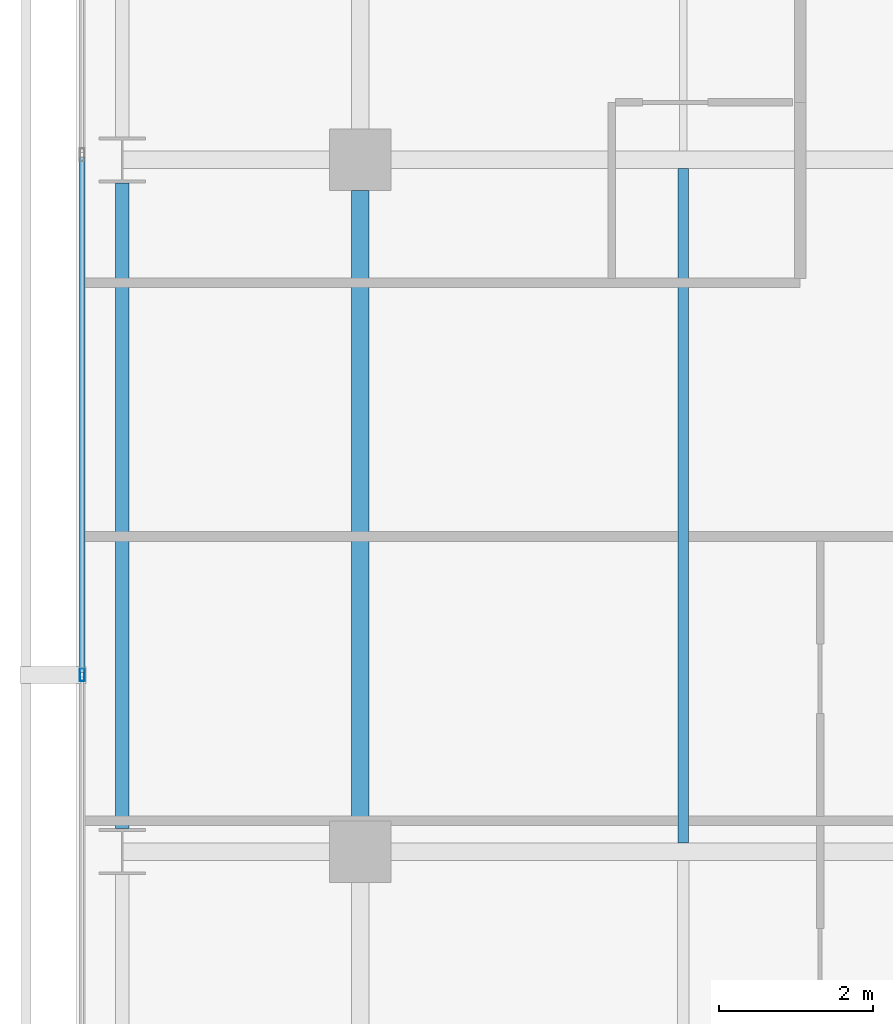
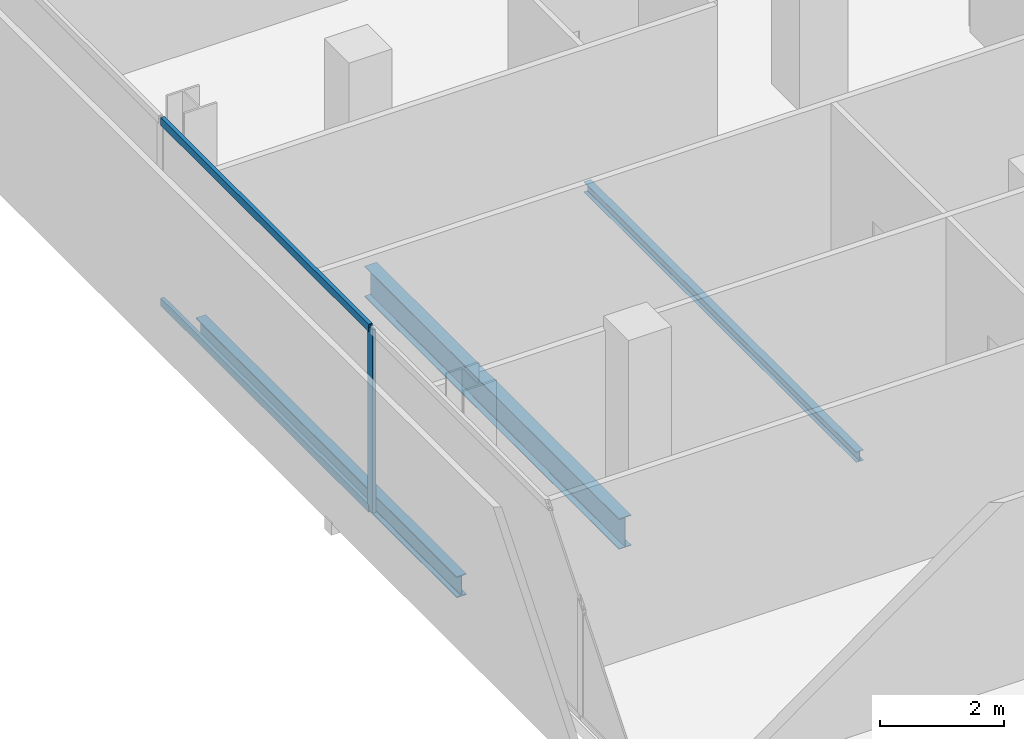
# One storey, part 10 of 34: 3 beams, 3 members, 1 element without a shape of its own.
"""IFC4 building model written with IfcOpenShell, lengths in metres."""

from ifc_helpers import new_model, si_unit, direction, frame, origin, origin_2d, place, context, subcontext, project, spatial, hollow_rectangle, i_section, extrude, material, layer, layer_set, material_profile, profile_set, type_object, element, aggregate, save


model = new_model("IFC4")

# Units and contexts
model_context = context("Model", 3, precision=1e-05, world=origin(), true_north=direction((0.0, 1.0)))
body_context = subcontext(model_context, "Body", "Model", "MODEL_VIEW")
ifc_project = project(units=[si_unit("LENGTHUNIT", "METRE"), si_unit("AREAUNIT", "SQUARE_METRE"), si_unit("VOLUMEUNIT", "CUBIC_METRE"), si_unit("PLANEANGLEUNIT", "RADIAN"), si_unit("MASSUNIT", "GRAM", prefix="KILO")], contexts=[model_context])

# Site, building, storey
site_placement = place(None, origin())
site = spatial("IfcSite", under=ifc_project, at=site_placement, CompositionType="ELEMENT")
building_placement = place(site_placement, origin())
building = spatial("IfcBuilding", under=site, at=building_placement, Name="Maruvema Waterfront Hotel and Observation Tower", CompositionType="ELEMENT")
storey_placement = place(building_placement, frame((0.0, 0.0, 185.14990234375)))
storey = spatial("IfcBuildingStorey", under=building, at=storey_placement, Name="L45", CompositionType="ELEMENT", Elevation=185.14990234375)

# Curtain wall, members
ifc_material_1 = material(Name="Anodised bronze aluminium and solar-control low-E IGU", Category="aluminium")
ifc_layer = layer(ifc_material_1, 0.159912109375, Name="Zone 2 Amber Inner Thermal Curtain Wall System CW-03")
ifc_layer_set = layer_set([ifc_layer], Name="Anodised bronze aluminium and solar-control low-E IGU")
curtain_wall_type = type_object("IfcCurtainWallType", Name="Zone 2 Amber Inner Thermal Curtain Wall System CW-03", PredefinedType="USERDEFINED", material=ifc_layer_set)
curtain_wall_placement = place(storey_placement, origin())
curtain_wall = element("IfcCurtainWall", 1, at=curtain_wall_placement, inside=storey, type_object=curtain_wall_type, Name="L45 Curtain Wall CW-L45-W", ObjectType="UNITISED CURTAIN WALL", PredefinedType="USERDEFINED")
ifc_material_2 = material(Name="Anodised architectural bronze aluminium", Category="aluminium")
ifc_material_profile_1 = material_profile(ifc_material_2, hollow_rectangle(XDim=0.070068359375, YDim=0.14990234375, WallThickness=0.00390625, at=origin_2d()), Name="ALU-T70x150")
ifc_profile_set_1 = profile_set([ifc_material_profile_1], Name="Anodised architectural bronze aluminium")
member_type_1 = type_object("IfcMemberType", Name="Curtain Wall Horizontal Transom ALU-T70x150", PredefinedType="USERDEFINED", material=ifc_profile_set_1)
member_1_placement = place(storey_placement, frame((13.179931640625, 36.03662109375, 0.030029296875), z_axis=(0.0, -1.0, 0.0), x_axis=(1.0, 0.0, 0.0)))
member_1 = element("IfcMember", 2, at=member_1_placement, type_object=member_type_1, Name="CW-03 transom 3.1", ObjectType="TRANSOM", PredefinedType="USERDEFINED", context=body_context, shape_type="SweptSolid", body=[
    extrude(hollow_rectangle(XDim=0.070068359375, YDim=0.14990234375, WallThickness=0.00390625, at=origin_2d()), origin(), (0.0, 0.0, 1.0), 6.70654296875),
])
member_2_placement = place(storey_placement, frame((13.179931640625, 36.03662109375, 3.580078125), z_axis=(0.0, -1.0, 0.0), x_axis=(1.0, 0.0, 0.0)))
member_2 = element("IfcMember", 3, at=member_2_placement, type_object=member_type_1, Name="CW-03 transom 3.2", ObjectType="TRANSOM", PredefinedType="USERDEFINED", context=body_context, shape_type="SweptSolid", body=[
    extrude(hollow_rectangle(XDim=0.070068359375, YDim=0.14990234375, WallThickness=0.00390625, at=origin_2d()), origin(), (0.0, 0.0, 1.0), 6.70654296875),
])
ifc_material_3 = material(Name="Anodised architectural bronze aluminium", Category="aluminium")
ifc_material_profile_2 = material_profile(ifc_material_3, hollow_rectangle(XDim=0.06494140625, YDim=0.1650390625, WallThickness=0.00390625, at=origin_2d()), Name="ALU-M65x165")
ifc_profile_set_2 = profile_set([ifc_material_profile_2], Name="Anodised architectural bronze aluminium")
member_type_2 = type_object("IfcMemberType", Name="Curtain Wall Primary Mullion ALU-M65x165", PredefinedType="MULLION", material=ifc_profile_set_2)
member_3_placement = place(storey_placement, frame((13.179931640625, 29.300048828125, 0.0), z_axis=(0.0, 0.0, 1.0), x_axis=(1.0, 0.0, 0.0)))
member_3 = element("IfcMember", 4, at=member_3_placement, type_object=member_type_2, Name="CW-03 mullion 4", PredefinedType="MULLION", context=body_context, shape_type="SweptSolid", body=[
    extrude(hollow_rectangle(XDim=0.06494140625, YDim=0.1650390625, WallThickness=0.00390625, at=origin_2d()), origin(), (0.0, 0.0, 1.0), 3.610107421875),
])
aggregate(curtain_wall, [member_3, member_1, member_2])

# Beams
ifc_material_4 = material(Name="Steel ASTM A572 Grade 50", Category="steel")
ifc_material_profile_3 = material_profile(ifc_material_4, i_section(OverallWidth=0.180908203125, OverallDepth=0.4169921875, WebThickness=0.010986328125, FlangeThickness=0.018310546875, FilletRadius=0.014892578125, at=origin_2d()), Name="W410x85.0")
ifc_profile_set_3 = profile_set([ifc_material_profile_3], Name="Steel ASTM A572 Grade 50")
beam_type_1 = type_object("IfcBeamType", Name="Perimeter Spandrel Beam W410x85.0", PredefinedType="SPANDREL", material=ifc_profile_set_3)
beam_1_placement = place(storey_placement, frame((13.699951171875, 27.300048828125, -0.448486328125), z_axis=(0.0, 1.0, 0.0), x_axis=(-1.0, 0.0, 0.0)))
element("IfcBeam", 5, at=beam_1_placement, inside=storey, type_object=beam_type_1, Name="L45 Floor Girder NS-03", PredefinedType="SPANDREL", context=body_context, shape_type="SweptSolid", body=[
    extrude(i_section(OverallWidth=0.180908203125, OverallDepth=0.4169921875, WebThickness=0.010986328125, FlangeThickness=0.018310546875, FilletRadius=0.014892578125, at=origin_2d()), origin(), (0.0, 0.0, 1.0), 8.39990234375),
])
ifc_material_5 = material(Name="Steel ASTM A572 Grade 50", Category="steel")
ifc_material_profile_4 = material_profile(ifc_material_5, i_section(OverallWidth=0.22802734375, OverallDepth=0.60302734375, WebThickness=0.010498046875, FlangeThickness=0.014892578125, FilletRadius=0.01806640625, at=origin_2d()), Name="W610x101.0")
ifc_profile_set_4 = profile_set([ifc_material_profile_4], Name="Steel ASTM A572 Grade 50")
beam_type_2 = type_object("IfcBeamType", Name="Primary Floor Girder W610x101.0", PredefinedType="BEAM", material=ifc_profile_set_4)
beam_2_placement = place(storey_placement, frame((16.800048828125, 27.39990234375, -0.54150390625), z_axis=(0.0, 1.0, 0.0), x_axis=(-1.0, 0.0, 0.0)))
element("IfcBeam", 6, at=beam_2_placement, inside=storey, type_object=beam_type_2, Name="L45 Floor Girder NS-07", PredefinedType="BEAM", context=body_context, shape_type="SweptSolid", body=[
    extrude(i_section(OverallWidth=0.22802734375, OverallDepth=0.60302734375, WebThickness=0.010498046875, FlangeThickness=0.014892578125, FilletRadius=0.01806640625, at=origin_2d()), origin(), (0.0, 0.0, 1.0), 8.2001953125),
])
ifc_material_6 = material(Name="Steel ASTM A572 Grade 50", Category="steel")
ifc_material_profile_5 = material_profile(ifc_material_6, i_section(OverallWidth=0.133056640625, OverallDepth=0.20703125, WebThickness=0.005859375, FlangeThickness=0.00830078125, FilletRadius=0.010009765625, at=origin_2d()), Name="W200x26.6")
ifc_profile_set_5 = profile_set([ifc_material_profile_5], Name="Steel ASTM A572 Grade 50")
beam_type_3 = type_object("IfcBeamType", Name="Secondary Floor Joist W200x26.6", PredefinedType="JOIST", material=ifc_profile_set_5)
beam_3_placement = place(storey_placement, frame((21.0, 27.114013671875, -0.343505859375), z_axis=(0.0, 1.0, 0.0), x_axis=(-1.0, 0.0, 0.0)))
element("IfcBeam", 7, at=beam_3_placement, inside=storey, type_object=beam_type_3, Name="L45 Secondary Floor Joist JS-03", PredefinedType="JOIST", context=body_context, shape_type="SweptSolid", body=[
    extrude(i_section(OverallWidth=0.133056640625, OverallDepth=0.20703125, WebThickness=0.005859375, FlangeThickness=0.00830078125, FilletRadius=0.010009765625, at=origin_2d()), origin(), (0.0, 0.0, 1.0), 8.77197265625),
])

save(model, "model.ifc")
